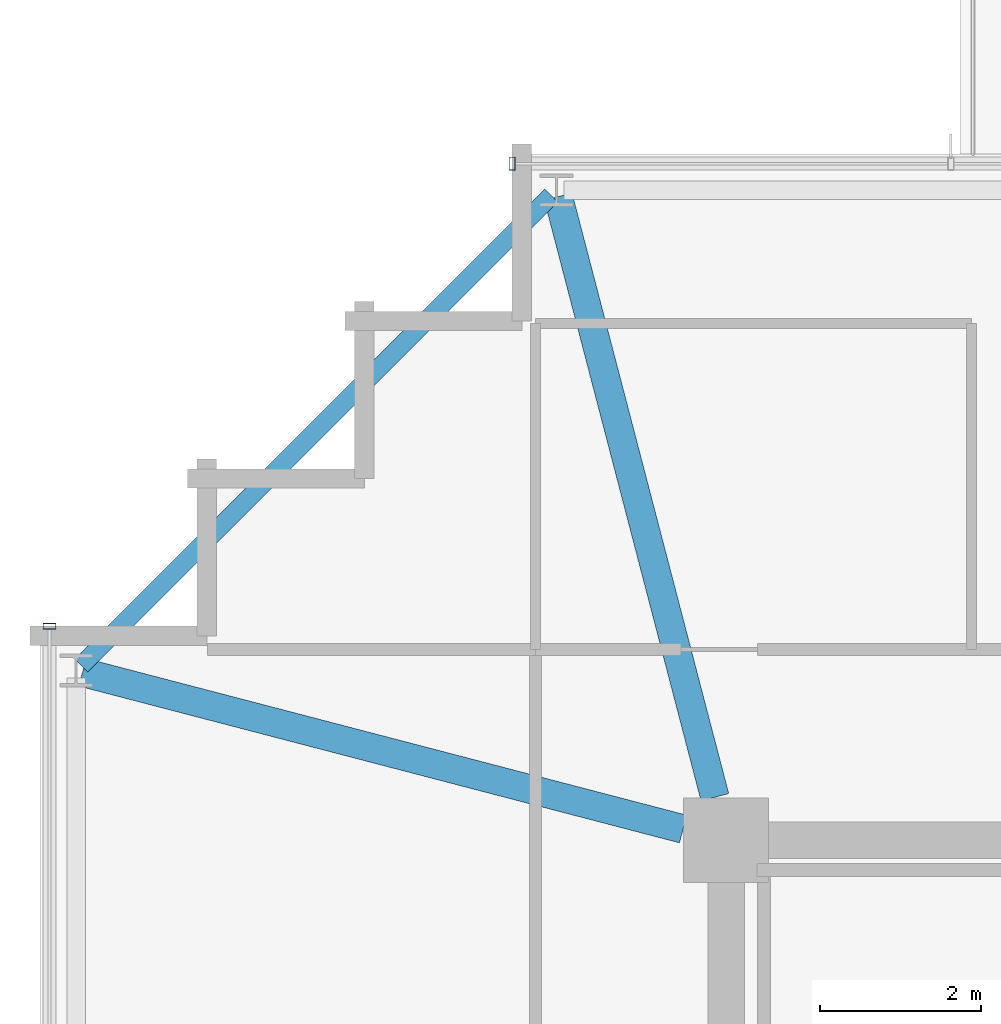
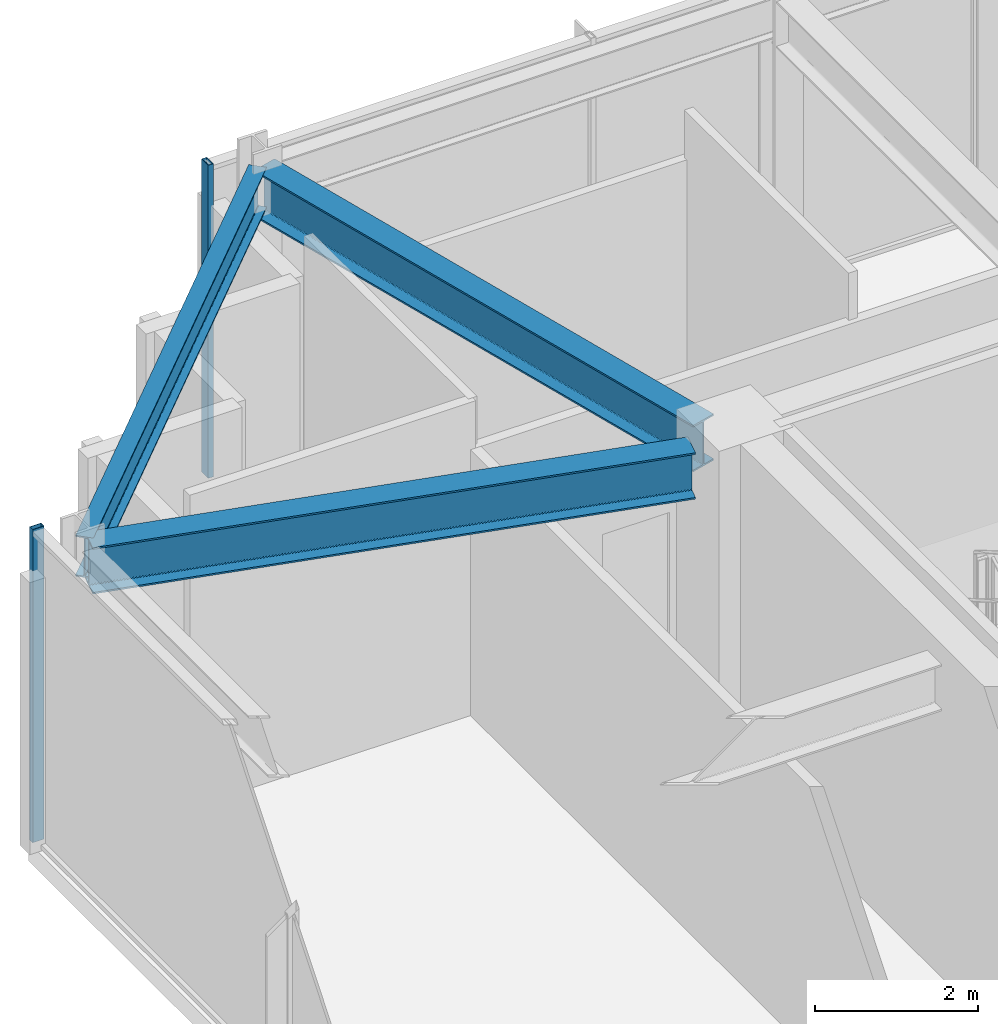
# One storey, part 15 of 31: 3 beams, 2 members, 2 elements without a shape of their own.
"""IFC4 building model written with IfcOpenShell, lengths in metres."""

import ifcopenshell
import ifcopenshell.guid

model = None  # the IFC model being written
_history = None  # IfcOwnerHistory: only IFC2X3 demands one
_inside = {}  # id of a spatial element -> (the spatial element, [elements in it])
_under = {}  # id of a project, library or spatial element -> (it, [spatial elements below it])
_declared = {}  # id of a project -> (the project, [libraries it declares])
_typed = {}  # id of a type object -> (the type object, [elements of that type])
_made_of = {}  # id of a material, layer set ... -> (it, [elements and type objects made of it])


def new_model(schema):
    """Start an empty IFC model of exactly this schema.

    Asked for "IFC4X3", IfcOpenShell would pick the latest addendum, in which some entities
    have other attributes; the version numbers below select the first issue.
    IFC2X3 requires an IfcOwnerHistory on every rooted entity: one is made here for all.
    """
    global model, _history
    if schema == "IFC4X3":
        model = ifcopenshell.file(schema_version=(4, 3, 0, 0))
    else:
        model = ifcopenshell.file(schema=schema)
    _inside.clear()
    _under.clear()
    _declared.clear()
    _typed.clear()
    _made_of.clear()
    _history = None
    if model.schema == "IFC2X3":
        org = make("IfcOrganization", Name="unknown")
        user = make(
            "IfcPersonAndOrganization",
            ThePerson=make("IfcPerson", FamilyName="unknown"),
            TheOrganization=org,
        )
        app = make(
            "IfcApplication",
            ApplicationDeveloper=org,
            Version="unknown",
            ApplicationFullName="unknown",
            ApplicationIdentifier="unknown",
        )
        _history = make(
            "IfcOwnerHistory",
            OwningUser=user,
            OwningApplication=app,
            ChangeAction="ADDED",
            CreationDate=0,
        )
    return model


def make(cls, **values):
    """One entity of the class cls with the attributes given. An attribute that is None is left unset."""
    return model.create_entity(
        cls, **{name: value for name, value in values.items() if value is not None}
    )


def rooted(cls, **values):
    """An entity with a GlobalId (a new one), such as an element, a storey or a relation."""
    return make(cls, GlobalId=ifcopenshell.guid.new(), OwnerHistory=_history, **values)


def si_unit(unit_type, name, prefix=None):
    """IfcSIUnit, for example si_unit("LENGTHUNIT", "METRE", prefix="MILLI")."""
    return make("IfcSIUnit", UnitType=unit_type, Prefix=prefix, Name=name)


def assignment(units):
    """IfcUnitAssignment: the units of a project."""
    return None if units is None else make("IfcUnitAssignment", Units=units)


def point(xyz):
    """IfcCartesianPoint."""
    return None if xyz is None else make("IfcCartesianPoint", Coordinates=xyz)


def direction(xyz):
    """IfcDirection."""
    return None if xyz is None else make("IfcDirection", DirectionRatios=xyz)


def frame(location, z_axis=None, x_axis=None):
    """IfcAxis2Placement3D, a coordinate frame: its origin and axes. An axis left out is left unset."""
    return make(
        "IfcAxis2Placement3D",
        Location=point(location),
        Axis=direction(z_axis),
        RefDirection=direction(x_axis),
    )


def frame_2d(location, x_axis=None):
    """IfcAxis2Placement2D, a coordinate frame in the plane: its origin and x axis."""
    return make(
        "IfcAxis2Placement2D", Location=point(location), RefDirection=direction(x_axis)
    )


def origin():
    """The frame at (0, 0, 0) with its axes left unset."""
    return frame((0.0, 0.0, 0.0))


def origin_2d():
    """The frame at (0, 0) in the plane with its x axis left unset."""
    return frame_2d((0.0, 0.0))


def place(relative_to, where):
    """IfcLocalPlacement: puts the frame where relative to a parent placement (None: the world)."""
    return make(
        "IfcLocalPlacement", PlacementRelTo=relative_to, RelativePlacement=where
    )


def context(
    kind, dimensions, precision=None, world=None, true_north=None, identifier=None
):
    """IfcGeometricRepresentationContext, for example the 3D "Model" context."""
    return make(
        "IfcGeometricRepresentationContext",
        ContextIdentifier=identifier,
        ContextType=kind,
        CoordinateSpaceDimension=dimensions,
        Precision=precision,
        WorldCoordinateSystem=world,
        TrueNorth=true_north,
    )


def subcontext(parent, identifier, kind, view, scale=None):
    """IfcGeometricRepresentationSubContext, for example "Body" below "Model"."""
    return make(
        "IfcGeometricRepresentationSubContext",
        ContextIdentifier=identifier,
        ContextType=kind,
        ParentContext=parent,
        TargetScale=scale,
        TargetView=view,
    )


def project(units=None, contexts=None):
    """IfcProject with its units and contexts."""
    return rooted(
        "IfcProject",
        Name="project",
        RepresentationContexts=contexts,
        UnitsInContext=assignment(units),
    )


def spatial(cls, under=None, at=None, **own):
    """A site, building, storey or space (cls), placed at a placement, below another one or the project."""
    s = rooted(cls, ObjectPlacement=at, **own)
    if under is not None:
        _under.setdefault(under.id(), (under, []))[1].append(s)
    return s


def profile(cls, at=None, kind="AREA", **sizes):
    """A parametric profile (cls). Its sizes go by their IFC names, for example OverallWidth=200.0."""
    return make(cls, ProfileType=kind, Position=at, **sizes)


def hollow_rectangle(**sizes):
    """IfcRectangleHollowProfileDef."""
    return profile("IfcRectangleHollowProfileDef", **sizes)


def i_section(**sizes):
    """IfcIShapeProfileDef."""
    return profile("IfcIShapeProfileDef", **sizes)


def extrude(swept, where, along, depth):
    """IfcExtrudedAreaSolid: the profile swept, set in the frame where, extruded along a direction by depth."""
    return make(
        "IfcExtrudedAreaSolid",
        SweptArea=swept,
        Position=where,
        ExtrudedDirection=direction(along),
        Depth=depth,
    )


def shape(context_of_items, identifier, shape_type, items):
    """IfcShapeRepresentation: the items that make up one representation, for example the "Body"."""
    return make(
        "IfcShapeRepresentation",
        ContextOfItems=context_of_items,
        RepresentationIdentifier=identifier,
        RepresentationType=shape_type,
        Items=items,
    )


def material(Name=None, Category=None):
    """IfcMaterial."""
    return make("IfcMaterial", Name=Name, Category=Category)


def material_profile(
    of_material, cross_section, Name=None, Category=None, Priority=None
):
    """IfcMaterialProfile: a cross section and its material."""
    return make(
        "IfcMaterialProfile",
        Name=Name,
        Material=of_material,
        Profile=cross_section,
        Priority=Priority,
        Category=Category,
    )


def profile_set(profiles, Name=None, composite=None):
    """IfcMaterialProfileSet."""
    return make(
        "IfcMaterialProfileSet",
        Name=Name,
        MaterialProfiles=profiles,
        CompositeProfile=composite,
    )


def made_of(thing, what):
    """Note that an element or type object is made of a material, layer set ...; save() writes the relation."""
    if what is not None:
        _made_of.setdefault(what.id(), (what, []))[1].append(thing)
    return thing


def type_object(cls, material=None, **own):
    """A type object (cls), such as IfcWallType, which elements share."""
    return made_of(rooted(cls, **own), material)


def element(
    cls,
    number,
    at=None,
    inside=None,
    cuts=None,
    type_object=None,
    material=None,
    context=None,
    identifier="Body",
    shape_type=None,
    held_by="IfcProductDefinitionShape",
    body=None,
    shapes=None,
    **own,
):
    """One element of the class cls, such as IfcWall. Its Tag is "e" and its number.

    at: its placement. inside: the storey or other place that contains it. cuts: it is an
    opening in that element (IfcRelVoidsElement). A single representation is given by context,
    identifier, shape_type and body (its items); several are given by shapes. held_by: the class
    of the entity that holds the representations. save() writes the other relations.
    """
    e = rooted(cls, Tag="e%d" % number, ObjectPlacement=at, **own)
    if body is not None:
        shapes = [shape(context, identifier, shape_type, body)]
    if shapes is not None:
        e.Representation = make(held_by, Representations=shapes)
    if inside is not None:
        _inside.setdefault(inside.id(), (inside, []))[1].append(e)
    if cuts is not None:
        rooted(
            "IfcRelVoidsElement", RelatingBuildingElement=cuts, RelatedOpeningElement=e
        )
    if type_object is not None:
        _typed.setdefault(type_object.id(), (type_object, []))[1].append(e)
    return made_of(e, material)


def aggregate(whole, parts):
    """IfcRelAggregates: a whole, such as a stair, and the parts it consists of."""
    return rooted("IfcRelAggregates", RelatingObject=whole, RelatedObjects=parts)


def save(model, path):
    """Write the relations noted so far, then the file.

    IfcRelAggregates (storeys below a building ...), IfcRelContainedInSpatialStructure (elements
    in a storey), IfcRelDefinesByType, IfcRelAssociatesMaterial and IfcRelDeclares: one each for
    every whole, place, type object, material and project.
    """
    for whole, parts in _under.values():
        aggregate(whole, parts)
    for where, things in _inside.values():
        rooted(
            "IfcRelContainedInSpatialStructure",
            RelatedElements=things,
            RelatingStructure=where,
        )
    for kind, things in _typed.values():
        rooted("IfcRelDefinesByType", RelatedObjects=things, RelatingType=kind)
    for what, things in _made_of.values():
        rooted("IfcRelAssociatesMaterial", RelatedObjects=things, RelatingMaterial=what)
    for by, libraries in _declared.values():
        rooted("IfcRelDeclares", RelatingContext=by, RelatedDefinitions=libraries)
    model.write(path)


model = new_model("IFC4")

# Units and contexts
model_context = context("Model", 3, precision=1e-05, world=origin(), true_north=direction((0.0, 1.0)))
body_context = subcontext(model_context, "Body", "Model", "MODEL_VIEW")
ifc_project = project(units=[si_unit("LENGTHUNIT", "METRE"), si_unit("AREAUNIT", "SQUARE_METRE"), si_unit("VOLUMEUNIT", "CUBIC_METRE"), si_unit("PLANEANGLEUNIT", "RADIAN"), si_unit("MASSUNIT", "GRAM", prefix="KILO")], contexts=[model_context])

# Site, building, storey
site_placement = place(None, origin())
site = spatial("IfcSite", under=ifc_project, at=site_placement, CompositionType="ELEMENT")
building_placement = place(site_placement, origin())
building = spatial("IfcBuilding", under=site, at=building_placement, Name="Kolvaren Belvedere", CompositionType="ELEMENT")
storey_placement = place(building_placement, frame((0.0, 0.0, 267.39990234375)))
storey = spatial("IfcBuildingStorey", under=building, at=storey_placement, Name="L77", CompositionType="ELEMENT", Elevation=267.39990234375)

# Beams
ifc_material_1 = material(Name="Structural steel ASTM A992 Grade 50", Category="steel")
ifc_material_profile_1 = material_profile(ifc_material_1, i_section(OverallWidth=0.35498046875, OverallDepth=0.696044921875, WebThickness=0.015380859375, FlangeThickness=0.02490234375, FilletRadius=0.02197265625, at=origin_2d()), Name="W27X146")
ifc_profile_set_1 = profile_set([ifc_material_profile_1], Name="Structural steel ASTM A992 Grade 50")
beam_type_1 = type_object("IfcBeamType", Name="BM-GIRD-W27X146", PredefinedType="BEAM", material=ifc_profile_set_1)
for number, where, z_axis, x_axis, name in (
    (1, (-10.038818359375, 10.43212890625, 4.35205078125), (-0.252430946281, 0.967614911708, 0.0), (-0.967614911708, -0.252430946281, 0.0), "L77 Corner Core-to-Perimeter Girder CC4-N1"),
    (2, (-10.43212890625, 10.038818359375, 4.35205078125), (-0.967614911708, 0.252430946281, 0.0), (-0.252430946281, -0.967614911708, 0.0), "L77 Corner Core-to-Perimeter Girder CC4-W4"),
):
    element("IfcBeam", number, at=place(storey_placement, frame(where, z_axis=z_axis, x_axis=x_axis)), inside=storey, type_object=beam_type_1, Name=name, PredefinedType="BEAM", context=body_context, shape_type="SweptSolid", body=[
        extrude(i_section(OverallWidth=0.35498046875, OverallDepth=0.696044921875, WebThickness=0.015380859375, FlangeThickness=0.02490234375, FilletRadius=0.02197265625, at=origin_2d()), origin(), (0.0, 0.0, 1.0), 7.68798828125),
    ])
ifc_material_2 = material(Name="Structural steel ASTM A992 Grade 50", Category="steel")
ifc_material_profile_2 = material_profile(ifc_material_2, i_section(OverallWidth=0.22900390625, OverallDepth=0.612060546875, WebThickness=0.011962890625, FlangeThickness=0.01953125, FilletRadius=0.01806640625, at=origin_2d()), Name="W24X84")
ifc_profile_set_2 = profile_set([ifc_material_profile_2], Name="Structural steel ASTM A992 Grade 50")
beam_type_2 = type_object("IfcBeamType", Name="BM-SPAN-W24X84", PredefinedType="SPANDREL", material=ifc_profile_set_2)
beam_placement = place(storey_placement, frame((-12.064697265625, 17.88525390625, 4.39404296875), z_axis=(-0.707106781187, -0.707106781187, 0.0), x_axis=(0.707106781187, -0.707106781187, 0.0)))
element("IfcBeam", 3, at=beam_placement, inside=storey, type_object=beam_type_2, Name="L77 Perimeter Spandrel N1-W4", PredefinedType="SPANDREL", context=body_context, shape_type="SweptSolid", body=[
    extrude(i_section(OverallWidth=0.22900390625, OverallDepth=0.612060546875, WebThickness=0.011962890625, FlangeThickness=0.01953125, FilletRadius=0.01806640625, at=origin_2d()), origin(), (0.0, 0.0, 1.0), 8.2314453125),
])

# Curtain wall, member
ifc_material_3 = material(Name="Anodised pale-metal aluminium AA 6063-T6", Category="aluminium")
curtain_wall_type = type_object("IfcCurtainWallType", Name="CW-CRN-OBS", PredefinedType="NOTDEFINED", material=ifc_material_3)
curtain_wall_1_placement = place(storey_placement, origin())
curtain_wall_1 = element("IfcCurtainWall", 4, at=curtain_wall_1_placement, inside=storey, type_object=curtain_wall_type, Name="L77 Unitised Curtain Wall FCW-L77-N1", PredefinedType="NOTDEFINED")
ifc_material_4 = material(Name="Anodised pale-metal aluminium AA 6063-T6", Category="aluminium")
ifc_material_profile_3 = material_profile(ifc_material_4, hollow_rectangle(XDim=0.074951171875, YDim=0.159912109375, WallThickness=0.00439453125, at=origin_2d()), Name="ALU-MUL-160X75")
ifc_profile_set_3 = profile_set([ifc_material_profile_3], Name="Anodised pale-metal aluminium AA 6063-T6")
member_type = type_object("IfcMemberType", Name="CW-MUL-160", PredefinedType="MULLION", material=ifc_profile_set_3)
member_1_placement = place(storey_placement, frame((-12.550048828125, 18.280029296875, 0.0), z_axis=(0.0, 0.0, 1.0), x_axis=(1.0, 0.0, 0.0)))
member_1 = element("IfcMember", 5, at=member_1_placement, type_object=member_type, Name="FCW-L77-N1 Unitised Mullion 1", PredefinedType="MULLION", context=body_context, shape_type="SweptSolid", body=[
    extrude(hollow_rectangle(XDim=0.074951171875, YDim=0.159912109375, WallThickness=0.00439453125, at=origin_2d()), origin(), (0.0, 0.0, 1.0), 4.7001953125),
])
aggregate(curtain_wall_1, [member_1])

curtain_wall_2_placement = place(storey_placement, origin())
curtain_wall_2 = element("IfcCurtainWall", 6, at=curtain_wall_2_placement, inside=storey, type_object=curtain_wall_type, Name="L77 Unitised Curtain Wall FCW-L77-W", PredefinedType="NOTDEFINED")
member_2_placement = place(storey_placement, frame((-18.280029296875, 12.550048828125, 0.0), z_axis=(0.0, 0.0, 1.0), x_axis=(0.0, 1.0, 0.0)))
member_2 = element("IfcMember", 7, at=member_2_placement, type_object=member_type, Name="FCW-L77-W Unitised Mullion 5", PredefinedType="MULLION", context=body_context, shape_type="SweptSolid", body=[
    extrude(hollow_rectangle(XDim=0.074951171875, YDim=0.159912109375, WallThickness=0.00439453125, at=origin_2d()), origin(), (0.0, 0.0, 1.0), 4.7001953125),
])
aggregate(curtain_wall_2, [member_2])

save(model, "model.ifc")
